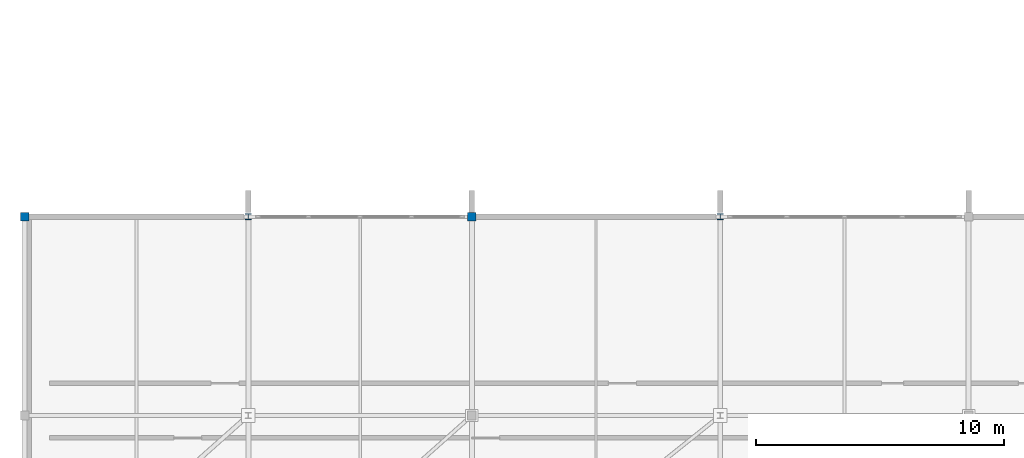
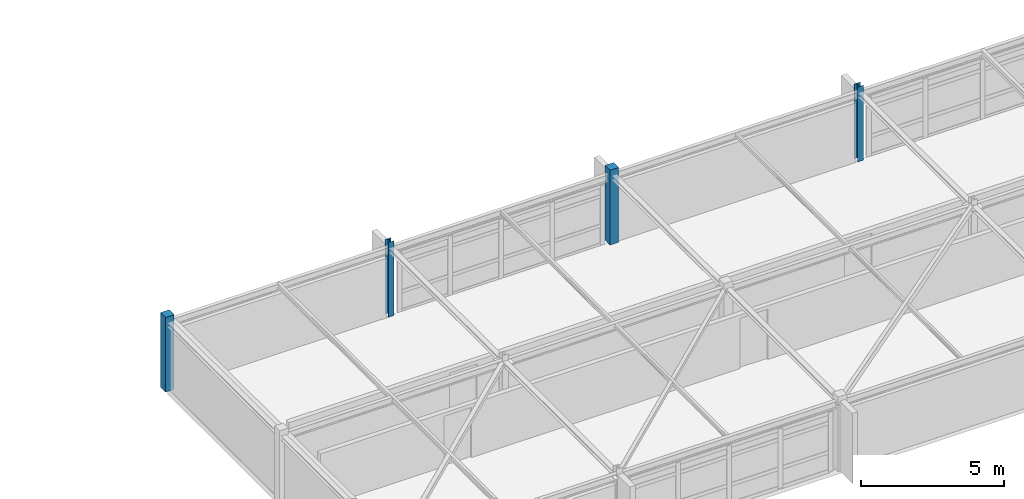
# One storey, part 2 of 83: 4 columns.
"""IFC4 building model written with IfcOpenShell, lengths in metres."""

from ifc_helpers import new_model, si_unit, direction, frame, origin, origin_2d, place, context, subcontext, project, spatial, rectangle, i_section, extrude, material, material_profile, profile_set, type_object, element, save


model = new_model("IFC4")

# Units and contexts
model_context = context("Model", 3, precision=1e-05, world=origin(), true_north=direction((0.0, 1.0)))
body_context = subcontext(model_context, "Body", "Model", "MODEL_VIEW")
ifc_project = project(units=[si_unit("LENGTHUNIT", "METRE"), si_unit("AREAUNIT", "SQUARE_METRE"), si_unit("VOLUMEUNIT", "CUBIC_METRE"), si_unit("PLANEANGLEUNIT", "RADIAN"), si_unit("MASSUNIT", "GRAM", prefix="KILO")], contexts=[model_context])

# Site, building, storey
site_placement = place(None, origin())
site = spatial("IfcSite", under=ifc_project, at=site_placement, CompositionType="ELEMENT")
building_placement = place(site_placement, origin())
building = spatial("IfcBuilding", under=site, at=building_placement, Name="Zimvara Arc Housing Community", CompositionType="ELEMENT")
storey_placement = place(building_placement, frame((0.0, 0.0, 4.5)))
storey = spatial("IfcBuildingStorey", under=building, at=storey_placement, Name="L01", CompositionType="ELEMENT", Elevation=4.5)

# Columns
ifc_material_1 = material(Name="Concrete C40/50", Category="concrete")
ifc_material_profile_1 = material_profile(ifc_material_1, rectangle(XDim=0.35009765625, YDim=0.35009765625, at=origin_2d()), Name="RC 350x350")
ifc_profile_set_1 = profile_set([ifc_material_profile_1], Name="Concrete C40/50")
column_type_1 = type_object("IfcColumnType", Name="COL-RC-350x350", PredefinedType="COLUMN", material=ifc_profile_set_1)
for number, where, z_axis, x_axis, name in (
    (1, (0.0, 19.60009765625, 0.0), (0.0, 0.0, 1.0), (1.0, 0.0, 0.0), "col:shops:L01:x0:y2"),
    (2, (18.0, 19.60009765625, 0.0), (0.0, 0.0, 1.0), (1.0, 0.0, 0.0), "col:shops:L01:x2:y2"),
):
    element("IfcColumn", number, at=place(storey_placement, frame(where, z_axis=z_axis, x_axis=x_axis)), inside=storey, type_object=column_type_1, Name=name, PredefinedType="COLUMN", context=body_context, shape_type="SweptSolid", body=[
        extrude(rectangle(XDim=0.35009765625, YDim=0.35009765625, at=origin_2d()), origin(), (0.0, 0.0, 1.0), 3.199951171875),
    ])
ifc_material_2 = material(Name="Steel S355", Category="steel")
ifc_material_profile_2 = material_profile(ifc_material_2, i_section(OverallWidth=0.239990234375, OverallDepth=0.22998046875, WebThickness=0.007568359375, FlangeThickness=0.011962890625, FilletRadius=0.02099609375, at=origin_2d()), Name="HEA 240")
ifc_profile_set_2 = profile_set([ifc_material_profile_2], Name="Steel S355")
column_type_2 = type_object("IfcColumnType", Name="COL-ST-HEA240", PredefinedType="COLUMN", material=ifc_profile_set_2)
for number, where, z_axis, x_axis, name in (
    (3, (9.0, 19.60009765625, 0.0), (0.0, 0.0, 1.0), (1.0, 0.0, 0.0), "col:shops:L01:x1:y2"),
    (4, (28.0, 19.60009765625, 0.0), (0.0, 0.0, 1.0), (1.0, 0.0, 0.0), "col:shops:L01:x3:y2"),
):
    element("IfcColumn", number, at=place(storey_placement, frame(where, z_axis=z_axis, x_axis=x_axis)), inside=storey, type_object=column_type_2, Name=name, PredefinedType="COLUMN", context=body_context, shape_type="SweptSolid", body=[
        extrude(i_section(OverallWidth=0.239990234375, OverallDepth=0.22998046875, WebThickness=0.007568359375, FlangeThickness=0.011962890625, FilletRadius=0.02099609375, at=origin_2d()), origin(), (0.0, 0.0, 1.0), 3.199951171875),
    ])

save(model, "model.ifc")
